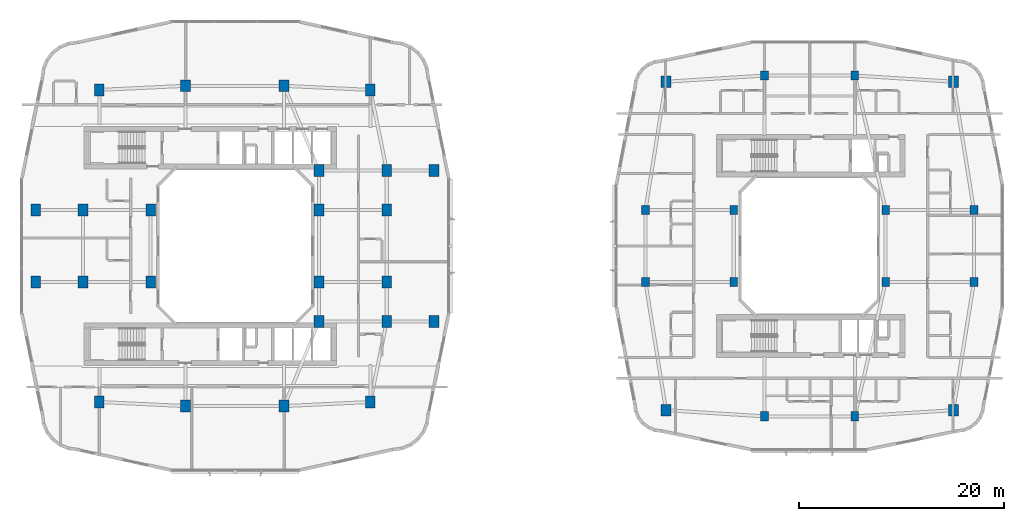
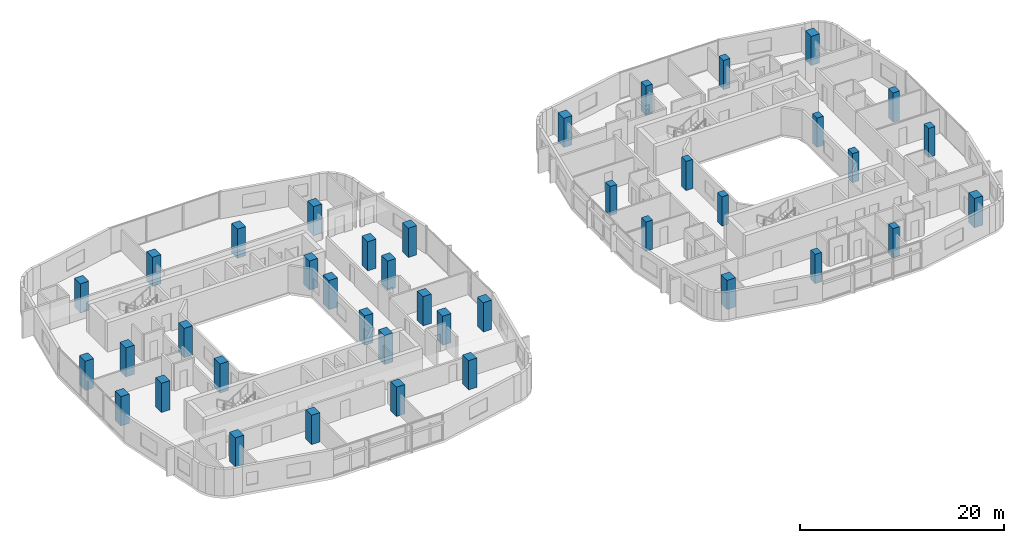
# One storey, part 1 of 26: 40 columns.
"""IFC4 building model written with IfcOpenShell, lengths in metres."""

from ifc_helpers import new_model, si_unit, derived_unit, direction, frame, origin, origin_2d, place, context, subcontext, project, spatial, rectangle, extrude, material, material_profile, profile_set, type_object, element, save


model = new_model("IFC4")

# Units and contexts
model_context = context("Model", 3, precision=1e-05, world=origin(), true_north=direction((0.0, 1.0)))
body_context = subcontext(model_context, "Body", "Model", "MODEL_VIEW")
ifc_project = project(units=[si_unit("LENGTHUNIT", "METRE"), si_unit("AREAUNIT", "SQUARE_METRE"), si_unit("VOLUMEUNIT", "CUBIC_METRE"), si_unit("PLANEANGLEUNIT", "RADIAN"), si_unit("MASSUNIT", "GRAM", prefix="KILO"), derived_unit("THERMALTRANSMITTANCEUNIT", [(si_unit("POWERUNIT", "WATT"), 1), (si_unit("LENGTHUNIT", "METRE"), -2), (si_unit("THERMODYNAMICTEMPERATUREUNIT", "KELVIN"), -1)])], contexts=[model_context])

# Site, building, storey
site_placement = place(None, origin())
site = spatial("IfcSite", under=ifc_project, at=site_placement, CompositionType="ELEMENT")
building_placement = place(site_placement, origin())
building = spatial("IfcBuilding", under=site, at=building_placement, Name="Kivonza Crest Hotel", CompositionType="ELEMENT")
storey_placement = place(building_placement, frame((0.0, 0.0, 62.5)))
storey = spatial("IfcBuildingStorey", under=building, at=storey_placement, Name="L16", CompositionType="ELEMENT", Elevation=62.5)

# Columns
ifc_material_1 = material(Name="Concrete C60/75", Category="concrete")
ifc_material_profile_1 = material_profile(ifc_material_1, rectangle(XDim=0.949951171875, YDim=1.14990234375, at=origin_2d()), Name="RC 1150x950")
ifc_profile_set_1 = profile_set([ifc_material_profile_1], Name="Concrete C60/75")
column_type_1 = type_object("IfcColumnType", Name="CL-RC-1150x950", PredefinedType="COLUMN", material=ifc_profile_set_1)
for number, where, z_axis, x_axis, name in (
    (1, (16.199951171875, 9.39990234375, 0.0), (0.0, 0.0, 1.0), (1.0, 0.0, 0.0), "Tower T1 L16 column S1"),
    (2, (25.800048828125, 9.39990234375, 0.0), (0.0, 0.0, 1.0), (1.0, 0.0, 0.0), "Tower T1 L16 column S2"),
    (3, (16.199951171875, 40.60009765625, 0.0), (0.0, 0.0, 1.0), (1.0, 0.0, 0.0), "Tower T1 L16 column N1"),
    (4, (25.800048828125, 40.60009765625, 0.0), (0.0, 0.0, 1.0), (1.0, 0.0, 0.0), "Tower T1 L16 column N2"),
    (5, (6.199951171875, 21.5, 0.0), (0.0, 0.0, 1.0), (1.0, 0.0, 0.0), "Tower T1 L16 column W1"),
    (6, (6.199951171875, 28.5, 0.0), (0.0, 0.0, 1.0), (1.0, 0.0, 0.0), "Tower T1 L16 column W2"),
    (7, (7.800048828125, 9.800048828125, 0.0), (0.0, 0.0, 1.0), (1.0, 0.0, 0.0), "Tower T1 L16 column SW"),
    (8, (34.199951171875, 9.800048828125, 0.0), (0.0, 0.0, 1.0), (1.0, 0.0, 0.0), "Tower T1 L16 column SE"),
    (9, (34.199951171875, 40.199951171875, 0.0), (0.0, 0.0, 1.0), (1.0, 0.0, 0.0), "Tower T1 L16 column NE"),
    (10, (7.800048828125, 40.199951171875, 0.0), (0.0, 0.0, 1.0), (1.0, 0.0, 0.0), "Tower T1 L16 column NW"),
    (11, (35.800048828125, 21.5, 0.0), (0.0, 0.0, 1.0), (1.0, 0.0, 0.0), "Tower T1 L16 column E1"),
    (12, (35.800048828125, 28.5, 0.0), (0.0, 0.0, 1.0), (1.0, 0.0, 0.0), "Tower T1 L16 column E2"),
    (13, (35.800048828125, 17.64990234375, 0.0), (0.0, 0.0, 1.0), (1.0, 0.0, 0.0), "Tower T1 L16 column PSE"),
    (14, (35.800048828125, 32.35009765625, 0.0), (0.0, 0.0, 1.0), (1.0, 0.0, 0.0), "Tower T1 L16 column PNE"),
    (15, (12.800048828125, 21.5, 0.0), (0.0, 0.0, 1.0), (1.0, 0.0, 0.0), "Tower T1 L16 column WL1"),
    (16, (12.800048828125, 28.5, 0.0), (0.0, 0.0, 1.0), (1.0, 0.0, 0.0), "Tower T1 L16 column WL2"),
    (17, (29.199951171875, 17.64990234375, 0.0), (0.0, 0.0, 1.0), (1.0, 0.0, 0.0), "Tower T1 L16 column TSE"),
    (18, (29.199951171875, 32.35009765625, 0.0), (0.0, 0.0, 1.0), (1.0, 0.0, 0.0), "Tower T1 L16 column TNE"),
    (19, (29.199951171875, 21.5, 0.0), (0.0, 0.0, 1.0), (1.0, 0.0, 0.0), "Tower T1 L16 column WR1"),
    (20, (29.199951171875, 28.5, 0.0), (0.0, 0.0, 1.0), (1.0, 0.0, 0.0), "Tower T1 L16 column WR2"),
    (21, (1.60009765625, 21.5, 0.0), (0.0, 0.0, 1.0), (1.0, 0.0, 0.0), "Tower T1 L16 column Z1W1"),
    (22, (1.60009765625, 28.5, 0.0), (0.0, 0.0, 1.0), (1.0, 0.0, 0.0), "Tower T1 L16 column Z1W2"),
    (23, (40.39990234375, 17.64990234375, 0.0), (0.0, 0.0, 1.0), (1.0, 0.0, 0.0), "Tower T1 L16 column Z1E1"),
    (24, (40.39990234375, 32.35009765625, 0.0), (0.0, 0.0, 1.0), (1.0, 0.0, 0.0), "Tower T1 L16 column Z1E2"),
    (25, (63.0, 9.0, 0.0), (0.0, 0.0, 1.0), (1.0, 0.0, 0.0), "Companion Tower T2 L16 column SW"),
    (26, (91.0, 9.0, 0.0), (0.0, 0.0, 1.0), (1.0, 0.0, 0.0), "Companion Tower T2 L16 column SE"),
    (27, (91.0, 41.0, 0.0), (0.0, 0.0, 1.0), (1.0, 0.0, 0.0), "Companion Tower T2 L16 column NE"),
    (28, (63.0, 41.0, 0.0), (0.0, 0.0, 1.0), (1.0, 0.0, 0.0), "Companion Tower T2 L16 column NW"),
):
    element("IfcColumn", number, at=place(storey_placement, frame(where, z_axis=z_axis, x_axis=x_axis)), inside=storey, type_object=column_type_1, Name=name, PredefinedType="COLUMN", context=body_context, shape_type="SweptSolid", body=[
        extrude(rectangle(XDim=0.949951171875, YDim=1.14990234375, at=origin_2d()), origin(), (0.0, 0.0, 1.0), 3.5),
    ])
ifc_material_2 = material(Name="Concrete C50/60", Category="concrete")
ifc_material_profile_2 = material_profile(ifc_material_2, rectangle(XDim=0.75, YDim=0.89990234375, at=origin_2d()), Name="RC 900x750")
ifc_profile_set_2 = profile_set([ifc_material_profile_2], Name="Concrete C50/60")
column_type_2 = type_object("IfcColumnType", Name="CL-RC-900x750", PredefinedType="COLUMN", material=ifc_profile_set_2)
for number, where, z_axis, x_axis, name in (
    (29, (72.60009765625, 8.39990234375, 0.0), (0.0, 0.0, 1.0), (1.0, 0.0, 0.0), "Companion Tower T2 L16 column S1"),
    (30, (81.39990234375, 8.39990234375, 0.0), (0.0, 0.0, 1.0), (1.0, 0.0, 0.0), "Companion Tower T2 L16 column S2"),
    (31, (72.60009765625, 41.60009765625, 0.0), (0.0, 0.0, 1.0), (1.0, 0.0, 0.0), "Companion Tower T2 L16 column N1"),
    (32, (81.39990234375, 41.60009765625, 0.0), (0.0, 0.0, 1.0), (1.0, 0.0, 0.0), "Companion Tower T2 L16 column N2"),
    (33, (61.0, 21.5, 0.0), (0.0, 0.0, 1.0), (1.0, 0.0, 0.0), "Companion Tower T2 L16 column W1"),
    (34, (61.0, 28.5, 0.0), (0.0, 0.0, 1.0), (1.0, 0.0, 0.0), "Companion Tower T2 L16 column W2"),
    (35, (93.0, 21.5, 0.0), (0.0, 0.0, 1.0), (1.0, 0.0, 0.0), "Companion Tower T2 L16 column E1"),
    (36, (93.0, 28.5, 0.0), (0.0, 0.0, 1.0), (1.0, 0.0, 0.0), "Companion Tower T2 L16 column E2"),
    (37, (69.60009765625, 21.5, 0.0), (0.0, 0.0, 1.0), (1.0, 0.0, 0.0), "Companion Tower T2 L16 column WL1"),
    (38, (69.60009765625, 28.5, 0.0), (0.0, 0.0, 1.0), (1.0, 0.0, 0.0), "Companion Tower T2 L16 column WL2"),
    (39, (84.39990234375, 21.5, 0.0), (0.0, 0.0, 1.0), (1.0, 0.0, 0.0), "Companion Tower T2 L16 column WR1"),
    (40, (84.39990234375, 28.5, 0.0), (0.0, 0.0, 1.0), (1.0, 0.0, 0.0), "Companion Tower T2 L16 column WR2"),
):
    element("IfcColumn", number, at=place(storey_placement, frame(where, z_axis=z_axis, x_axis=x_axis)), inside=storey, type_object=column_type_2, Name=name, PredefinedType="COLUMN", context=body_context, shape_type="SweptSolid", body=[
        extrude(rectangle(XDim=0.75, YDim=0.89990234375, at=origin_2d()), origin(), (0.0, 0.0, 1.0), 3.5),
    ])

save(model, "model.ifc")
